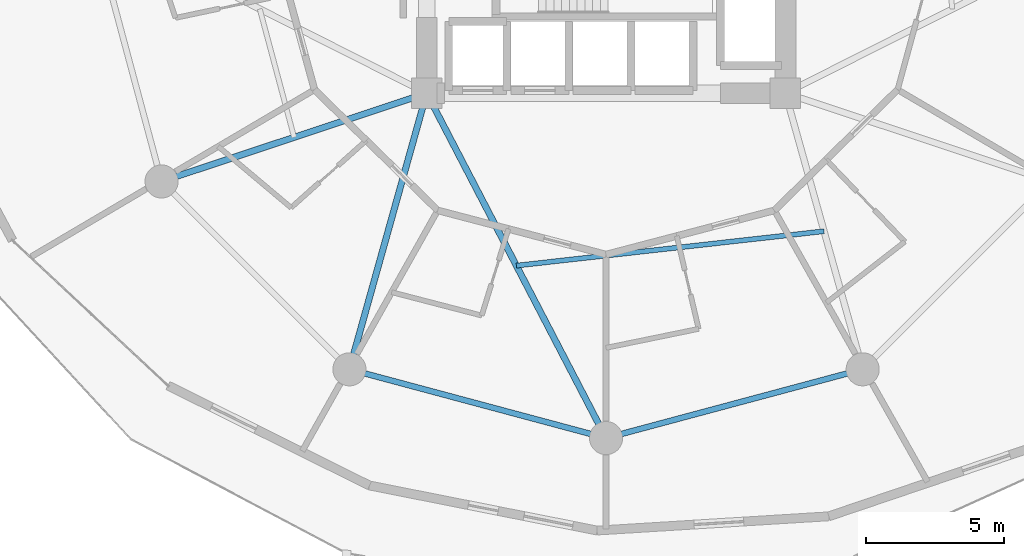
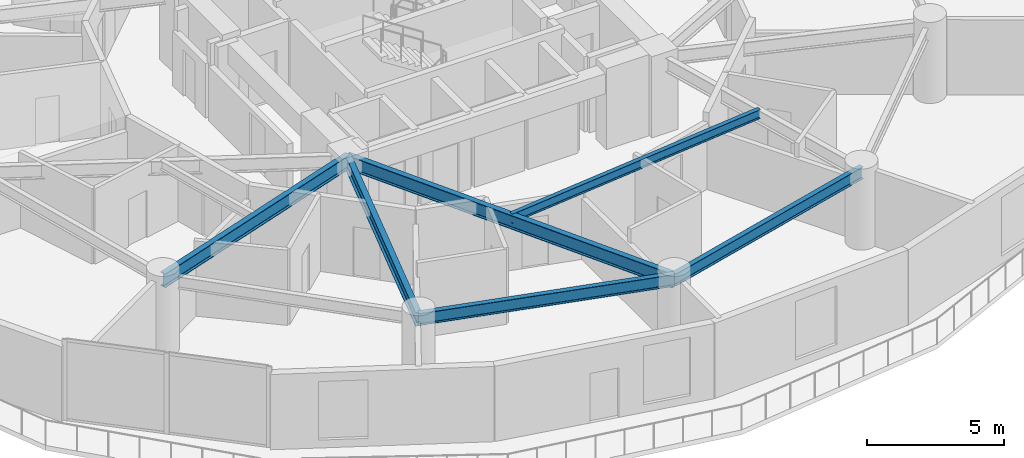
# One storey, part 3 of 26: 6 beams.
"""IFC4 building model written with IfcOpenShell, lengths in metres."""

from ifc_helpers import new_model, si_unit, direction, frame, origin, origin_2d, place, context, subcontext, project, spatial, i_section, extrude, material, material_profile, profile_set, type_object, element, save


model = new_model("IFC4")

# Units and contexts
model_context = context("Model", 3, precision=1e-05, world=origin(), true_north=direction((0.0, 1.0)))
body_context = subcontext(model_context, "Body", "Model", "MODEL_VIEW")
ifc_project = project(units=[si_unit("LENGTHUNIT", "METRE"), si_unit("AREAUNIT", "SQUARE_METRE"), si_unit("VOLUMEUNIT", "CUBIC_METRE"), si_unit("PLANEANGLEUNIT", "RADIAN"), si_unit("MASSUNIT", "GRAM", prefix="KILO")], contexts=[model_context])

# Site, building, storey
site_placement = place(None, origin())
site = spatial("IfcSite", under=ifc_project, at=site_placement, CompositionType="ELEMENT")
building_placement = place(site_placement, origin())
building = spatial("IfcBuilding", under=site, at=building_placement, Name="Solvirekh Grand Hotel", CompositionType="ELEMENT")
storey_placement = place(building_placement, frame((0.0, 0.0, 32.0)))
storey = spatial("IfcBuildingStorey", under=building, at=storey_placement, Name="L06", CompositionType="ELEMENT", Elevation=32.0)

# Beams
ifc_material = material(Name="Steel S355", Category="steel")
ifc_material_profile_1 = material_profile(ifc_material, i_section(OverallWidth=0.22998046875, OverallDepth=0.615966796875, WebThickness=0.013916015625, FlangeThickness=0.02392578125, FilletRadius=0.014892578125, at=origin_2d()), Name="W610X174")
ifc_profile_set_1 = profile_set([ifc_material_profile_1], Name="Steel S355")
beam_type_1 = type_object("IfcBeamType", Name="Beam_Primary_W610H", PredefinedType="BEAM", material=ifc_profile_set_1)
beam_1_placement = place(storey_placement, frame((-6.5, -6.10009765625, 3.031982421875), z_axis=(-0.948762825819, -0.315989082635, 0.0), x_axis=(0.315989082635, -0.948762825819, 0.0)))
element("IfcBeam", 1, at=beam_1_placement, inside=storey, type_object=beam_type_1, Name="L06 radial floor beam R08", PredefinedType="BEAM", context=body_context, shape_type="SweptSolid", body=[
    extrude(i_section(OverallWidth=0.22998046875, OverallDepth=0.615966796875, WebThickness=0.013916015625, FlangeThickness=0.02392578125, FilletRadius=0.014892578125, at=origin_2d()), origin(), (0.0, 0.0, 1.0), 10.126708984375),
])
beam_2_placement = place(storey_placement, frame((-6.5, -6.10009765625, 3.031982421875), z_axis=(-0.269439084681, -0.963017434757, 0.0), x_axis=(0.963017434757, -0.269439084681, 0.0)))
element("IfcBeam", 2, at=beam_2_placement, inside=storey, type_object=beam_type_1, Name="L06 radial floor beam R09", PredefinedType="BEAM", context=body_context, shape_type="SweptSolid", body=[
    extrude(i_section(OverallWidth=0.22998046875, OverallDepth=0.615966796875, WebThickness=0.013916015625, FlangeThickness=0.02392578125, FilletRadius=0.014892578125, at=origin_2d()), origin(), (0.0, 0.0, 1.0), 10.39208984375),
])
beam_3_placement = place(storey_placement, frame((-6.5, -6.10009765625, 3.031982421875), z_axis=(0.461352736642, -0.887216801235, 0.0), x_axis=(0.887216801235, 0.461352736642, 0.0)))
element("IfcBeam", 3, at=beam_3_placement, inside=storey, type_object=beam_type_1, Name="L06 radial floor beam R10", PredefinedType="BEAM", context=body_context, shape_type="SweptSolid", body=[
    extrude(i_section(OverallWidth=0.22998046875, OverallDepth=0.615966796875, WebThickness=0.013916015625, FlangeThickness=0.02392578125, FilletRadius=0.014892578125, at=origin_2d()), origin(), (0.0, 0.0, 1.0), 14.089111328125),
])
ifc_material_profile_2 = material_profile(ifc_material, i_section(OverallWidth=0.177978515625, OverallDepth=0.406982421875, WebThickness=0.008056640625, FlangeThickness=0.011962890625, FilletRadius=0.011962890625, at=origin_2d()), Name="W410X60")
ifc_profile_set_2 = profile_set([ifc_material_profile_2], Name="Steel S355")
beam_type_2 = type_object("IfcBeamType", Name="Joist_Floor_W410", PredefinedType="JOIST", material=ifc_profile_set_2)
beam_4_placement = place(storey_placement, frame((-3.25, -12.35009765625, 3.136962890625), z_axis=(0.99381294191, 0.111066810937, 0.0), x_axis=(-0.111066810937, 0.99381294191, 0.0)))
element("IfcBeam", 4, at=beam_4_placement, inside=storey, type_object=beam_type_2, Name="L06 secondary composite floor joist 10", PredefinedType="JOIST", context=body_context, shape_type="SweptSolid", body=[
    extrude(i_section(OverallWidth=0.177978515625, OverallDepth=0.406982421875, WebThickness=0.008056640625, FlangeThickness=0.011962890625, FilletRadius=0.011962890625, at=origin_2d()), origin(), (0.0, 0.0, 1.0), 11.21923828125),
])
ifc_material_profile_3 = material_profile(ifc_material, i_section(OverallWidth=0.208984375, OverallDepth=0.532958984375, WebThickness=0.010009765625, FlangeThickness=0.014892578125, FilletRadius=0.013916015625, at=origin_2d()), Name="W530X92")
ifc_profile_set_3 = profile_set([ifc_material_profile_3], Name="Steel S355")
beam_type_3 = type_object("IfcBeamType", Name="Spandrel_Ring_W530", PredefinedType="SPANDREL", material=ifc_profile_set_3)
for number, where, z_axis, x_axis, name in (
    (5, (-9.300048828125, -16.10791015625, 3.073974609375), (0.965919414426, -0.258842973314, 0.0), (0.258842973314, 0.965919414426, 0.0), "L06 perimeter spandrel beam 9"),
    (6, (0.0, -18.60009765625, 3.073974609375), (0.965919414426, 0.258842973314, 0.0), (-0.258842973314, 0.965919414426, 0.0), "L06 perimeter spandrel beam 10"),
):
    element("IfcBeam", number, at=place(storey_placement, frame(where, z_axis=z_axis, x_axis=x_axis)), inside=storey, type_object=beam_type_3, Name=name, PredefinedType="SPANDREL", context=body_context, shape_type="SweptSolid", body=[
        extrude(i_section(OverallWidth=0.208984375, OverallDepth=0.532958984375, WebThickness=0.010009765625, FlangeThickness=0.014892578125, FilletRadius=0.013916015625, at=origin_2d()), origin(), (0.0, 0.0, 1.0), 9.628173828125),
    ])

save(model, "model.ifc")
